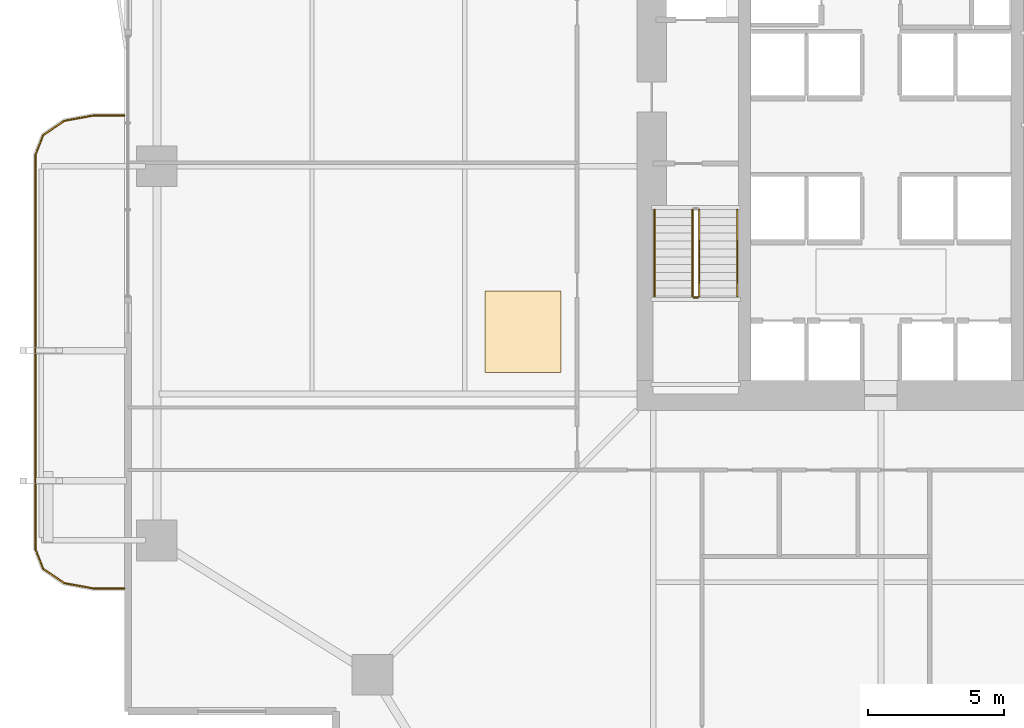
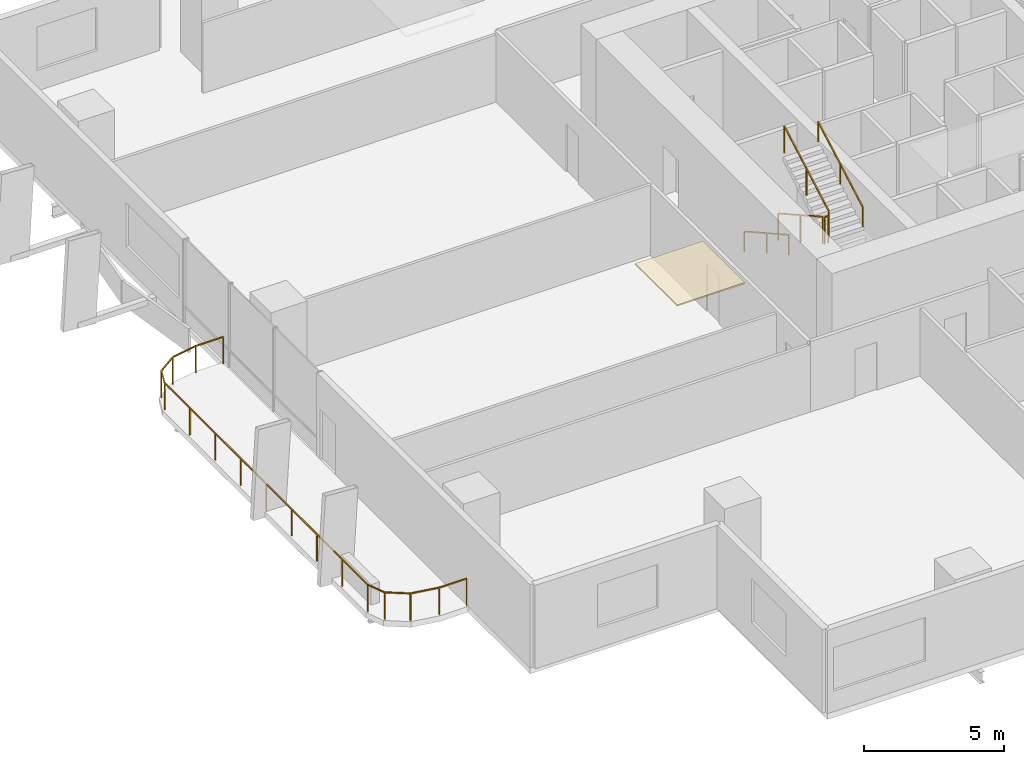
# One storey, part 21 of 24: 6 railings, 1 covering.
"""IFC4 building model written with IfcOpenShell, lengths in metres."""

from ifc_helpers import new_model, si_unit, direction, frame, origin, origin_2d, place, context, subcontext, project, spatial, polyline, rectangle, outline, extrude, material, layer, layer_set, type_object, element, save


model = new_model("IFC4")

# Units and contexts
model_context = context("Model", 3, precision=1e-05, world=origin(), true_north=direction((0.0, 1.0)))
body_context = subcontext(model_context, "Body", "Model", "MODEL_VIEW")
ifc_project = project(units=[si_unit("LENGTHUNIT", "METRE"), si_unit("AREAUNIT", "SQUARE_METRE"), si_unit("VOLUMEUNIT", "CUBIC_METRE"), si_unit("PLANEANGLEUNIT", "RADIAN"), si_unit("MASSUNIT", "GRAM", prefix="KILO")], contexts=[model_context])

# Site, building, storey
site_placement = place(None, origin())
site = spatial("IfcSite", under=ifc_project, at=site_placement, CompositionType="ELEMENT")
building_placement = place(site_placement, origin())
building = spatial("IfcBuilding", under=site, at=building_placement, Name="Belovzor Exchange Tower", CompositionType="ELEMENT")
storey_placement = place(building_placement, frame((0.0, 0.0, 37.800048828125)))
storey = spatial("IfcBuildingStorey", under=building, at=storey_placement, Name="L08", CompositionType="ELEMENT", Elevation=37.800048828125)

# Railings
ifc_material_1 = material(Name="Stainless Steel Grade 304", Category="steel")
railing_type_1 = type_object("IfcRailingType", Name="Brushed Stainless Steel Stair Handrail 900", PredefinedType="HANDRAIL", material=ifc_material_1)
railing_1_placement = place(storey_placement, frame((20.449951171875, 27.199951171875, 0.162353515625)))
element("IfcRailing", 1, at=railing_1_placement, inside=storey, type_object=railing_type_1, Name="L08 ST-1 stair handrail 1", PredefinedType="HANDRAIL", context=body_context, shape_type="SweptSolid", body=[
    extrude(rectangle(XDim=0.048095703125, YDim=0.048095703125, at=origin_2d()), frame((0.0, 0.0, 0.8759765625), z_axis=(0.0, -0.8723625253, 0.488859514025), x_axis=(1.0, 0.0, 0.0)), (0.0, 0.0, 1.0), 3.65673828125),
    extrude(rectangle(XDim=0.0419921875, YDim=0.0419921875, at=origin_2d()), origin(), (0.0, 0.0, 1.0), 0.851806640625),
    extrude(rectangle(XDim=0.0419921875, YDim=0.0419921875, at=origin_2d()), frame((0.0, -1.594970703125, 0.893798828125)), (0.0, 0.0, 1.0), 0.851806640625),
    extrude(rectangle(XDim=0.0419921875, YDim=0.0419921875, at=origin_2d()), frame((0.0, -3.18994140625, 1.78759765625)), (0.0, 0.0, 1.0), 0.851806640625),
])
railing_2_placement = place(storey_placement, frame((23.5, 24.010009765625, 2.112548828125)))
element("IfcRailing", 2, at=railing_2_placement, inside=storey, type_object=railing_type_1, Name="L08 ST-1 stair handrail 2", PredefinedType="HANDRAIL", context=body_context, shape_type="SweptSolid", body=[
    extrude(rectangle(XDim=0.048095703125, YDim=0.048095703125, at=origin_2d()), frame((0.0, 0.0, 0.8759765625), z_axis=(0.0, 0.872390997893, 0.488808701636), x_axis=(-1.0, 0.0, 0.0)), (0.0, 0.0, 1.0), 3.656494140625),
    extrude(rectangle(XDim=0.0419921875, YDim=0.0419921875, at=origin_2d()), origin(), (0.0, 0.0, 1.0), 0.851806640625),
    extrude(rectangle(XDim=0.0419921875, YDim=0.0419921875, at=origin_2d()), frame((0.0, 1.594970703125, 0.8935546875)), (0.0, 0.0, 1.0), 0.851806640625),
    extrude(rectangle(XDim=0.0419921875, YDim=0.0419921875, at=origin_2d()), frame((0.0, 3.18994140625, 1.787353515625)), (0.0, 0.0, 1.0), 0.851806640625),
])
ifc_material_2 = material(Name="Stainless Steel and Laminated Safety Glass", Category="steel")
railing_type_2 = type_object("IfcRailingType", Name="Laminated Glass & Stainless Steel Balcony Balustrade 1200", PredefinedType="BALUSTRADE", material=ifc_material_2)
railing_3_placement = place(storey_placement, frame((0.889892578125, 30.669921875, 0.0)))
element("IfcRailing", 3, at=railing_3_placement, inside=storey, type_object=railing_type_2, Name="GR-1 Balcony Balustrade L08 West", PredefinedType="BALUSTRADE", context=body_context, shape_type="SweptSolid", body=[
    extrude(rectangle(XDim=0.048095703125, YDim=0.048095703125, at=origin_2d()), frame((0.0, 0.0, 1.17578125), z_axis=(-1.0, 0.0, 0.0), x_axis=(0.0, -1.0, 0.0)), (0.0, 0.0, 1.0), 1.1328125),
    extrude(rectangle(XDim=0.048095703125, YDim=0.048095703125, at=origin_2d()), frame((-1.1328125, 0.0, 1.17578125), z_axis=(-0.983651385113, -0.180083182347, 0.0), x_axis=(0.180083182347, -0.983651385113, 0.0)), (0.0, 0.0, 1.0), 1.093994140625),
    extrude(rectangle(XDim=0.048095703125, YDim=0.048095703125, at=origin_2d()), frame((-2.208984375, -0.197021484375, 1.17578125), z_axis=(-0.826614792125, -0.562768145367, 0.0), x_axis=(0.562768145367, -0.826614792125, 0.0)), (0.0, 0.0, 1.0), 0.9326171875),
    extrude(rectangle(XDim=0.048095703125, YDim=0.048095703125, at=origin_2d()), frame((-2.97998046875, -0.721923828125, 1.17578125), z_axis=(-0.365612923861, -0.930766990125, 0.0), x_axis=(0.930766990125, -0.365612923861, 0.0)), (0.0, 0.0, 1.0), 0.765869140625),
    extrude(rectangle(XDim=0.048095703125, YDim=0.048095703125, at=origin_2d()), frame((-3.260009765625, -1.434814453125, 1.17578125), z_axis=(0.0, -1.0, 0.0), x_axis=(1.0, 0.0, 0.0)), (0.0, 0.0, 1.0), 14.570068359375),
    extrude(rectangle(XDim=0.048095703125, YDim=0.048095703125, at=origin_2d()), frame((-3.260009765625, -16.0048828125, 1.17578125), z_axis=(0.365504480807, -0.930809580156, 0.0), x_axis=(0.930809580156, 0.365504480807, 0.0)), (0.0, 0.0, 1.0), 0.76611328125),
    extrude(rectangle(XDim=0.048095703125, YDim=0.048095703125, at=origin_2d()), frame((-2.97998046875, -16.718017578125, 1.17578125), z_axis=(0.826614792125, -0.562768145367, 0.0), x_axis=(0.562768145367, 0.826614792125, 0.0)), (0.0, 0.0, 1.0), 0.9326171875),
    extrude(rectangle(XDim=0.048095703125, YDim=0.048095703125, at=origin_2d()), frame((-2.208984375, -17.242919921875, 1.17578125), z_axis=(0.983651385113, -0.180083182347, 0.0), x_axis=(0.180083182347, 0.983651385113, 0.0)), (0.0, 0.0, 1.0), 1.093994140625),
    extrude(rectangle(XDim=0.048095703125, YDim=0.048095703125, at=origin_2d()), frame((-1.1328125, -17.43994140625, 1.17578125), z_axis=(1.0, 0.0, 0.0), x_axis=(0.0, 1.0, 0.0)), (0.0, 0.0, 1.0), 1.1328125),
    extrude(rectangle(XDim=0.0419921875, YDim=0.0419921875, at=origin_2d()), origin(), (0.0, 0.0, 1.0), 1.15185546875),
    extrude(rectangle(XDim=0.0419921875, YDim=0.0419921875, at=origin_2d()), frame((-1.1328125, 0.0, 0.0)), (0.0, 0.0, 1.0), 1.15185546875),
    extrude(rectangle(XDim=0.0419921875, YDim=0.0419921875, at=origin_2d()), frame((-2.208984375, -0.197021484375, 0.0)), (0.0, 0.0, 1.0), 1.15185546875),
    extrude(rectangle(XDim=0.0419921875, YDim=0.0419921875, at=origin_2d()), frame((-2.97998046875, -0.721923828125, 0.0)), (0.0, 0.0, 1.0), 1.15185546875),
    extrude(rectangle(XDim=0.0419921875, YDim=0.0419921875, at=origin_2d()), frame((-3.260009765625, -1.434814453125, 0.0)), (0.0, 0.0, 1.0), 1.15185546875),
    extrude(rectangle(XDim=0.0419921875, YDim=0.0419921875, at=origin_2d()), frame((-3.260009765625, -3.256103515625, 0.0)), (0.0, 0.0, 1.0), 1.15185546875),
    extrude(rectangle(XDim=0.0419921875, YDim=0.0419921875, at=origin_2d()), frame((-3.260009765625, -5.077392578125, 0.0)), (0.0, 0.0, 1.0), 1.15185546875),
    extrude(rectangle(XDim=0.0419921875, YDim=0.0419921875, at=origin_2d()), frame((-3.260009765625, -6.898681640625, 0.0)), (0.0, 0.0, 1.0), 1.15185546875),
    extrude(rectangle(XDim=0.0419921875, YDim=0.0419921875, at=origin_2d()), frame((-3.260009765625, -8.7197265625, 0.0)), (0.0, 0.0, 1.0), 1.15185546875),
    extrude(rectangle(XDim=0.0419921875, YDim=0.0419921875, at=origin_2d()), frame((-3.260009765625, -10.541015625, 0.0)), (0.0, 0.0, 1.0), 1.15185546875),
    extrude(rectangle(XDim=0.0419921875, YDim=0.0419921875, at=origin_2d()), frame((-3.260009765625, -12.3623046875, 0.0)), (0.0, 0.0, 1.0), 1.15185546875),
    extrude(rectangle(XDim=0.0419921875, YDim=0.0419921875, at=origin_2d()), frame((-3.260009765625, -14.18359375, 0.0)), (0.0, 0.0, 1.0), 1.15185546875),
    extrude(rectangle(XDim=0.0419921875, YDim=0.0419921875, at=origin_2d()), frame((-3.260009765625, -16.0048828125, 0.0)), (0.0, 0.0, 1.0), 1.15185546875),
    extrude(rectangle(XDim=0.0419921875, YDim=0.0419921875, at=origin_2d()), frame((-2.97998046875, -16.718017578125, 0.0)), (0.0, 0.0, 1.0), 1.15185546875),
    extrude(rectangle(XDim=0.0419921875, YDim=0.0419921875, at=origin_2d()), frame((-2.208984375, -17.242919921875, 0.0)), (0.0, 0.0, 1.0), 1.15185546875),
    extrude(rectangle(XDim=0.0419921875, YDim=0.0419921875, at=origin_2d()), frame((-1.1328125, -17.43994140625, 0.0)), (0.0, 0.0, 1.0), 1.15185546875),
    extrude(rectangle(XDim=0.0419921875, YDim=0.0419921875, at=origin_2d()), frame((0.0, -17.43994140625, 0.0)), (0.0, 0.0, 1.0), 1.15185546875),
])
ifc_material_3 = material(Name="Steel S355", Category="steel")
railing_type_3 = type_object("IfcRailingType", Name="Painted Steel Stairwell Guardrail 1200", PredefinedType="GUARDRAIL", material=ifc_material_3)
railing_4_placement = place(storey_placement, frame((21.85009765625, 27.199951171875, 0.162353515625)))
element("IfcRailing", 4, at=railing_4_placement, inside=storey, type_object=railing_type_3, Name="L08 ST-1 stair guard 1", PredefinedType="GUARDRAIL", context=body_context, shape_type="SweptSolid", body=[
    extrude(rectangle(XDim=0.048095703125, YDim=0.048095703125, at=origin_2d()), frame((0.0, 0.0, 1.17578125), z_axis=(0.0, -0.8723625253, 0.488859514025), x_axis=(1.0, 0.0, 0.0)), (0.0, 0.0, 1.0), 3.65673828125),
    extrude(rectangle(XDim=0.0419921875, YDim=0.0419921875, at=origin_2d()), origin(), (0.0, 0.0, 1.0), 1.15185546875),
    extrude(rectangle(XDim=0.0419921875, YDim=0.0419921875, at=origin_2d()), frame((0.0, -1.594970703125, 0.893798828125)), (0.0, 0.0, 1.0), 1.15185546875),
    extrude(rectangle(XDim=0.0419921875, YDim=0.0419921875, at=origin_2d()), frame((0.0, -3.18994140625, 1.78759765625)), (0.0, 0.0, 1.0), 1.15185546875),
])
railing_5_placement = place(storey_placement, frame((21.89990234375, 23.9599609375, 1.949951171875)))
element("IfcRailing", 5, at=railing_5_placement, inside=storey, type_object=railing_type_3, Name="L08 ST-1 stair guard 2", PredefinedType="GUARDRAIL", context=body_context, shape_type="SweptSolid", body=[
    extrude(rectangle(XDim=0.048095703125, YDim=0.048095703125, at=origin_2d()), frame((0.0, 0.0, 1.17578125), z_axis=(1.0, 0.0, 0.0), x_axis=(0.0, 1.0, 0.0)), (0.0, 0.0, 1.0), 0.150146484375),
    extrude(rectangle(XDim=0.0419921875, YDim=0.0419921875, at=origin_2d()), origin(), (0.0, 0.0, 1.0), 1.15185546875),
    extrude(rectangle(XDim=0.0419921875, YDim=0.0419921875, at=origin_2d()), frame((0.150146484375, 0.0, 0.0)), (0.0, 0.0, 1.0), 1.15185546875),
])
railing_6_placement = place(storey_placement, frame((22.10009765625, 24.010009765625, 2.112548828125)))
element("IfcRailing", 6, at=railing_6_placement, inside=storey, type_object=railing_type_3, Name="L08 ST-1 stair guard 3", PredefinedType="GUARDRAIL", context=body_context, shape_type="SweptSolid", body=[
    extrude(rectangle(XDim=0.048095703125, YDim=0.048095703125, at=origin_2d()), frame((0.0, 0.0, 1.17578125), z_axis=(0.0, 0.872390997893, 0.488808701636), x_axis=(-1.0, 0.0, 0.0)), (0.0, 0.0, 1.0), 3.656494140625),
    extrude(rectangle(XDim=0.0419921875, YDim=0.0419921875, at=origin_2d()), origin(), (0.0, 0.0, 1.0), 1.15185546875),
    extrude(rectangle(XDim=0.0419921875, YDim=0.0419921875, at=origin_2d()), frame((0.0, 1.594970703125, 0.8935546875)), (0.0, 0.0, 1.0), 1.15185546875),
    extrude(rectangle(XDim=0.0419921875, YDim=0.0419921875, at=origin_2d()), frame((0.0, 3.18994140625, 1.787353515625)), (0.0, 0.0, 1.0), 1.15185546875),
])

# Covering
ifc_material_4 = material(Name="Perforated Powder-Coated Aluminium", Category="aluminium")
ifc_layer = layer(ifc_material_4, 0.06005859375)
ifc_layer_set = layer_set([ifc_layer], Name="Perforated Powder-Coated Aluminium")
covering_type = type_object("IfcCoveringType", Name="Perforated Acoustic Metal Tile Suspended Ceiling 60", PredefinedType="CEILING", material=ifc_layer_set)
covering_placement = place(storey_placement, frame((0.0, 0.0, 3.58984375)))
element("IfcCovering", 7, at=covering_placement, inside=storey, type_object=covering_type, Name="CLG-AC60 Suspended Ceiling CLG-L08-Z3", PredefinedType="CEILING", context=body_context, shape_type="SweptSolid", body=[
    extrude(outline(polyline([(14.199951171875, 21.199951171875), (17.0, 21.199951171875), (17.0, 24.199951171875), (14.199951171875, 24.199951171875), (14.199951171875, 21.199951171875)])), origin(), (0.0, 0.0, 1.0), 0.06005859375),
])

save(model, "model.ifc")
